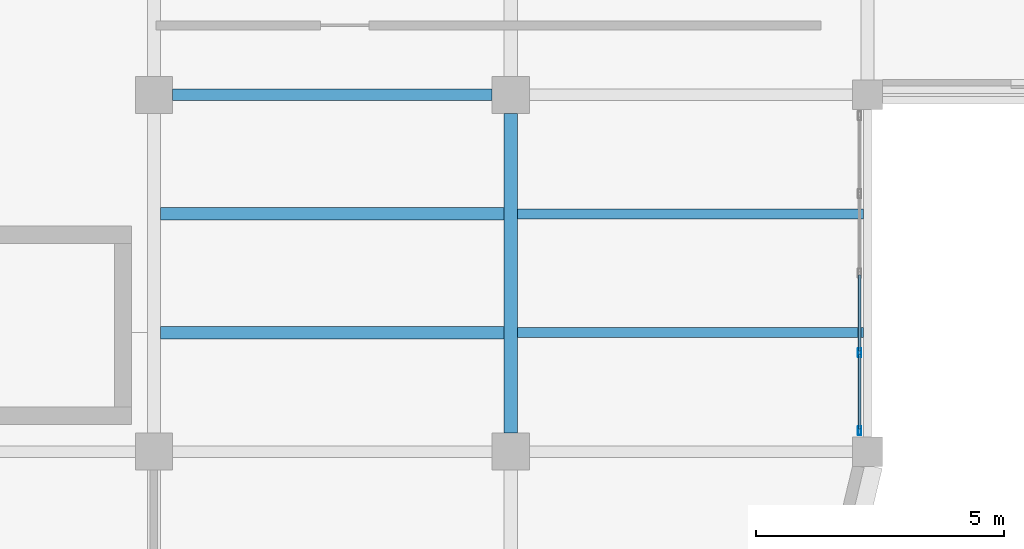
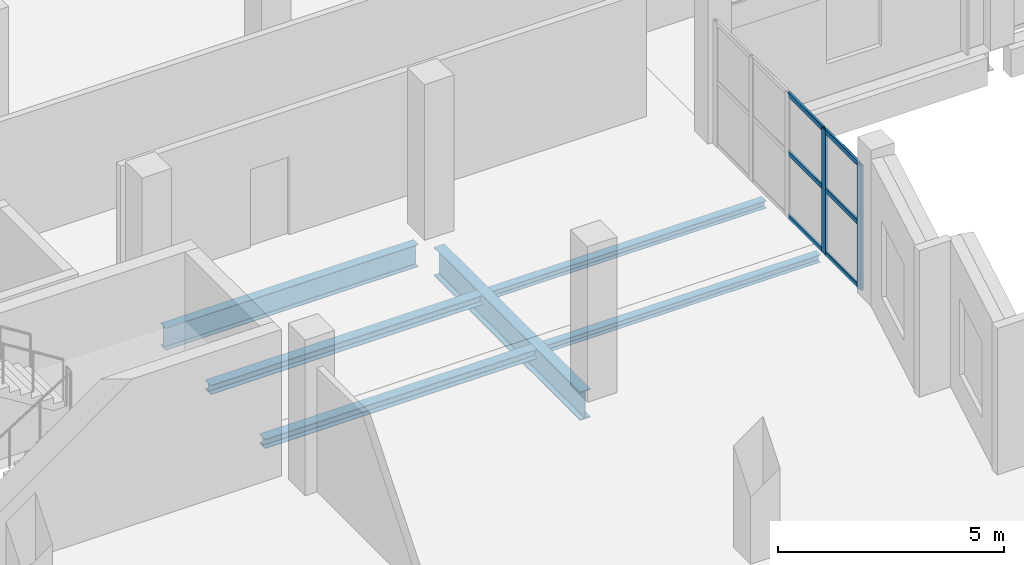
# One storey, part 40 of 94: 8 members, 6 beams, 1 element without a shape of its own.
"""IFC4 building model written with IfcOpenShell, lengths in metres."""

from ifc_helpers import new_model, si_unit, direction, frame, origin, origin_2d, place, context, subcontext, project, spatial, hollow_rectangle, i_section, extrude, material, material_profile, profile_set, type_object, element, aggregate, save


model = new_model("IFC4")

# Units and contexts
model_context = context("Model", 3, precision=1e-05, world=origin(), true_north=direction((0.0, 1.0)))
body_context = subcontext(model_context, "Body", "Model", "MODEL_VIEW")
ifc_project = project(units=[si_unit("LENGTHUNIT", "METRE"), si_unit("AREAUNIT", "SQUARE_METRE"), si_unit("VOLUMEUNIT", "CUBIC_METRE"), si_unit("PLANEANGLEUNIT", "RADIAN"), si_unit("MASSUNIT", "GRAM", prefix="KILO")], contexts=[model_context])

# Site, building, storey
site_placement = place(None, origin())
site = spatial("IfcSite", under=ifc_project, at=site_placement, CompositionType="ELEMENT")
building_placement = place(site_placement, origin())
building = spatial("IfcBuilding", under=site, at=building_placement, Name="Kalmorath City Hall", CompositionType="ELEMENT")
storey_placement = place(building_placement, frame((0.0, 0.0, 14.699951171875)))
storey = spatial("IfcBuildingStorey", under=building, at=storey_placement, Name="L03", CompositionType="ELEMENT", Elevation=14.699951171875)

# Curtain wall, members
ifc_material_1 = material(Name="Anodised aluminium and laminated glass", Category="aluminium")
curtain_wall_type = type_object("IfcCurtainWallType", Name="Unitised hurricane curtain wall 6420x3352 M1600", PredefinedType="NOTDEFINED", material=ifc_material_1)
curtain_wall_placement = place(storey_placement, origin())
curtain_wall = element("IfcCurtainWall", 1, at=curtain_wall_placement, inside=storey, type_object=curtain_wall_type, Name="L03 curtain wall CW-64X34M16 #151", PredefinedType="NOTDEFINED")
ifc_material_2 = material(Name="Anodised aluminium framing", Category="aluminium")
ifc_material_profile_1 = material_profile(ifc_material_2, hollow_rectangle(XDim=0.06494140625, YDim=0.179931640625, WallThickness=0.00390625, InnerFilletRadius=0.00390625, OuterFilletRadius=0.008056640625, at=origin_2d()), Name="ALU-MUL-180X65X4")
ifc_profile_set_1 = profile_set([ifc_material_profile_1], Name="Anodised aluminium framing")
member_type_1 = type_object("IfcMemberType", Name="Curtain-wall courtyard mullion 180x65", PredefinedType="MULLION", material=ifc_profile_set_1)
member_1_placement = place(storey_placement, frame((28.639892578125, 88.39501953125, 0.0), z_axis=(0.0, 0.0, 1.0), x_axis=(1.0, 0.0, 0.0)))
member_1 = element("IfcMember", 2, at=member_1_placement, type_object=member_type_1, Name="CW-64X34M16 mullion 4", PredefinedType="MULLION", context=body_context, shape_type="SweptSolid", body=[
    extrude(hollow_rectangle(XDim=0.06494140625, YDim=0.179931640625, WallThickness=0.00390625, InnerFilletRadius=0.00390625, OuterFilletRadius=0.008056640625, at=origin_2d()), origin(), (0.0, 0.0, 1.0), 3.35205078125),
])
member_2_placement = place(storey_placement, frame((28.639892578125, 86.822509765625, 0.0), z_axis=(0.0, 0.0, 1.0), x_axis=(1.0, 0.0, 0.0)))
member_2 = element("IfcMember", 3, at=member_2_placement, type_object=member_type_1, Name="CW-64X34M16 mullion 5", PredefinedType="MULLION", context=body_context, shape_type="SweptSolid", body=[
    extrude(hollow_rectangle(XDim=0.06494140625, YDim=0.179931640625, WallThickness=0.00390625, InnerFilletRadius=0.00390625, OuterFilletRadius=0.008056640625, at=origin_2d()), origin(), (0.0, 0.0, 1.0), 3.35205078125),
])
ifc_material_3 = material(Name="Anodised aluminium framing", Category="aluminium")
ifc_material_profile_2 = material_profile(ifc_material_3, hollow_rectangle(XDim=0.06005859375, YDim=0.1298828125, WallThickness=0.00341796875, InnerFilletRadius=0.00341796875, OuterFilletRadius=0.007080078125, at=origin_2d()), Name="ALU-TRN-130X60X3.5")
ifc_profile_set_2 = profile_set([ifc_material_profile_2], Name="Anodised aluminium framing")
member_type_2 = type_object("IfcMemberType", Name="Curtain-wall courtyard transom 130x60", PredefinedType="USERDEFINED", material=ifc_profile_set_2)
member_3_placement = place(storey_placement, frame((28.639892578125, 89.967529296875, 0.030029296875), z_axis=(0.0, -1.0, 0.0), x_axis=(1.0, 0.0, 0.0)))
member_3 = element("IfcMember", 4, at=member_3_placement, type_object=member_type_2, Name="CW-64X34M16 transom 3.1", ObjectType="TRANSOM", PredefinedType="USERDEFINED", context=body_context, shape_type="SweptSolid", body=[
    extrude(hollow_rectangle(XDim=0.06005859375, YDim=0.1298828125, WallThickness=0.00341796875, InnerFilletRadius=0.00341796875, OuterFilletRadius=0.007080078125, at=origin_2d()), origin(), (0.0, 0.0, 1.0), 1.5400390625),
])
member_4_placement = place(storey_placement, frame((28.639892578125, 89.967529296875, 1.7431640625), z_axis=(0.0, -1.0, 0.0), x_axis=(1.0, 0.0, 0.0)))
member_4 = element("IfcMember", 5, at=member_4_placement, type_object=member_type_2, Name="CW-64X34M16 transom 3.2", ObjectType="TRANSOM", PredefinedType="USERDEFINED", context=body_context, shape_type="SweptSolid", body=[
    extrude(hollow_rectangle(XDim=0.06005859375, YDim=0.1298828125, WallThickness=0.00341796875, InnerFilletRadius=0.00341796875, OuterFilletRadius=0.007080078125, at=origin_2d()), origin(), (0.0, 0.0, 1.0), 1.5400390625),
])
member_5_placement = place(storey_placement, frame((28.639892578125, 89.967529296875, 3.322021484375), z_axis=(0.0, -1.0, 0.0), x_axis=(1.0, 0.0, 0.0)))
member_5 = element("IfcMember", 6, at=member_5_placement, type_object=member_type_2, Name="CW-64X34M16 transom 3.3", ObjectType="TRANSOM", PredefinedType="USERDEFINED", context=body_context, shape_type="SweptSolid", body=[
    extrude(hollow_rectangle(XDim=0.06005859375, YDim=0.1298828125, WallThickness=0.00341796875, InnerFilletRadius=0.00341796875, OuterFilletRadius=0.007080078125, at=origin_2d()), origin(), (0.0, 0.0, 1.0), 1.5400390625),
])
member_6_placement = place(storey_placement, frame((28.639892578125, 88.362548828125, 0.030029296875), z_axis=(0.0, -1.0, 0.0), x_axis=(1.0, 0.0, 0.0)))
member_6 = element("IfcMember", 7, at=member_6_placement, type_object=member_type_2, Name="CW-64X34M16 transom 4.1", ObjectType="TRANSOM", PredefinedType="USERDEFINED", context=body_context, shape_type="SweptSolid", body=[
    extrude(hollow_rectangle(XDim=0.06005859375, YDim=0.1298828125, WallThickness=0.00341796875, InnerFilletRadius=0.00341796875, OuterFilletRadius=0.007080078125, at=origin_2d()), origin(), (0.0, 0.0, 1.0), 1.507568359375),
])
member_7_placement = place(storey_placement, frame((28.639892578125, 88.362548828125, 1.7431640625), z_axis=(0.0, -1.0, 0.0), x_axis=(1.0, 0.0, 0.0)))
member_7 = element("IfcMember", 8, at=member_7_placement, type_object=member_type_2, Name="CW-64X34M16 transom 4.2", ObjectType="TRANSOM", PredefinedType="USERDEFINED", context=body_context, shape_type="SweptSolid", body=[
    extrude(hollow_rectangle(XDim=0.06005859375, YDim=0.1298828125, WallThickness=0.00341796875, InnerFilletRadius=0.00341796875, OuterFilletRadius=0.007080078125, at=origin_2d()), origin(), (0.0, 0.0, 1.0), 1.507568359375),
])
member_8_placement = place(storey_placement, frame((28.639892578125, 88.362548828125, 3.322021484375), z_axis=(0.0, -1.0, 0.0), x_axis=(1.0, 0.0, 0.0)))
member_8 = element("IfcMember", 9, at=member_8_placement, type_object=member_type_2, Name="CW-64X34M16 transom 4.3", ObjectType="TRANSOM", PredefinedType="USERDEFINED", context=body_context, shape_type="SweptSolid", body=[
    extrude(hollow_rectangle(XDim=0.06005859375, YDim=0.1298828125, WallThickness=0.00341796875, InnerFilletRadius=0.00341796875, OuterFilletRadius=0.007080078125, at=origin_2d()), origin(), (0.0, 0.0, 1.0), 1.507568359375),
])
aggregate(curtain_wall, [member_1, member_2, member_3, member_4, member_5, member_6, member_7, member_8])

# Beams
ifc_material_4 = material(Name="Steel ASTM A992 Grade 50", Category="steel")
ifc_material_profile_3 = material_profile(ifc_material_4, i_section(OverallWidth=0.202880859375, OverallDepth=0.202880859375, WebThickness=0.007080078125, FlangeThickness=0.010986328125, FilletRadius=0.010986328125, at=origin_2d()), Name="W8X31")
ifc_profile_set_3 = profile_set([ifc_material_profile_3], Name="Steel ASTM A992 Grade 50")
beam_type_1 = type_object("IfcBeamType", Name="Steel edge trimmer W8X31", PredefinedType="LINTEL", material=ifc_profile_set_3)
for number, where, z_axis, x_axis, name in (
    (10, (21.73388671875, 88.800048828125, -0.365478515625), (1.0, 0.0, 0.0), (0.0, 1.0, 0.0), "L03 joist SJ16 4.13.1"),
    (11, (21.73388671875, 91.199951171875, -0.365478515625), (1.0, 0.0, 0.0), (0.0, 1.0, 0.0), "L03 joist SJ16 4.13.2"),
):
    element("IfcBeam", number, at=place(storey_placement, frame(where, z_axis=z_axis, x_axis=x_axis)), inside=storey, type_object=beam_type_1, Name=name, PredefinedType="LINTEL", context=body_context, shape_type="SweptSolid", body=[
        extrude(i_section(OverallWidth=0.202880859375, OverallDepth=0.202880859375, WebThickness=0.007080078125, FlangeThickness=0.010986328125, FilletRadius=0.010986328125, at=origin_2d()), origin(), (0.0, 0.0, 1.0), 6.983642578125),
    ])
ifc_material_5 = material(Name="Steel ASTM A992 Grade 50", Category="steel")
ifc_material_profile_4 = material_profile(ifc_material_5, i_section(OverallWidth=0.22802734375, OverallDepth=0.60302734375, WebThickness=0.010498046875, FlangeThickness=0.014892578125, FilletRadius=0.01611328125, at=origin_2d()), Name="W24X68")
ifc_profile_set_4 = profile_set([ifc_material_profile_4], Name="Steel ASTM A992 Grade 50")
beam_type_2 = type_object("IfcBeamType", Name="Steel floor girder W24X68", PredefinedType="BEAM", material=ifc_profile_set_4)
beam_1_placement = place(storey_placement, frame((14.77490234375, 93.60009765625, -0.5654296875), z_axis=(1.0, 0.0, 0.0), x_axis=(0.0, 1.0, 0.0)))
element("IfcBeam", 12, at=beam_1_placement, inside=storey, type_object=beam_type_2, Name="L03 girder SG9 X3-4/14", PredefinedType="BEAM", context=body_context, shape_type="SweptSolid", body=[
    extrude(i_section(OverallWidth=0.22802734375, OverallDepth=0.60302734375, WebThickness=0.010498046875, FlangeThickness=0.014892578125, FilletRadius=0.01611328125, at=origin_2d()), origin(), (0.0, 0.0, 1.0), 6.4501953125),
])
ifc_material_6 = material(Name="Steel ASTM A992 Grade 50", Category="steel")
ifc_material_profile_5 = material_profile(ifc_material_6, i_section(OverallWidth=0.26806640625, OverallDepth=0.77001953125, WebThickness=0.015625, FlangeThickness=0.025390625, FilletRadius=0.02001953125, at=origin_2d()), Name="W30X132")
ifc_profile_set_5 = profile_set([ifc_material_profile_5], Name="Steel ASTM A992 Grade 50")
beam_type_3 = type_object("IfcBeamType", Name="Steel primary girder W30X132", PredefinedType="BEAM", material=ifc_profile_set_5)
beam_2_placement = place(storey_placement, frame((21.60009765625, 86.77490234375, -0.64892578125), z_axis=(0.0, 1.0, 0.0), x_axis=(-1.0, 0.0, 0.0)))
element("IfcBeam", 13, at=beam_2_placement, inside=storey, type_object=beam_type_3, Name="L03 girder SG3 Y4/13-14", PredefinedType="BEAM", context=body_context, shape_type="SweptSolid", body=[
    extrude(i_section(OverallWidth=0.26806640625, OverallDepth=0.77001953125, WebThickness=0.015625, FlangeThickness=0.025390625, FilletRadius=0.02001953125, at=origin_2d()), origin(), (0.0, 0.0, 1.0), 6.4501953125),
])
ifc_material_7 = material(Name="Steel ASTM A992 Grade 50", Category="steel")
ifc_material_profile_6 = material_profile(ifc_material_7, i_section(OverallWidth=0.25390625, OverallDepth=0.2529296875, WebThickness=0.008544921875, FlangeThickness=0.01416015625, FilletRadius=0.011962890625, at=origin_2d()), Name="W10X49")
ifc_profile_set_6 = profile_set([ifc_material_profile_6], Name="Steel ASTM A992 Grade 50")
beam_type_4 = type_object("IfcBeamType", Name="Steel trimmer beam W10X49", PredefinedType="BEAM", material=ifc_profile_set_6)
for number, where, z_axis, x_axis, name in (
    (14, (14.533935546875, 88.800048828125, -0.390380859375), (1.0, 0.0, 0.0), (0.0, 1.0, 0.0), "L03 joist SJ14 3.13.1"),
    (15, (14.533935546875, 91.199951171875, -0.390380859375), (1.0, 0.0, 0.0), (0.0, 1.0, 0.0), "L03 joist SJ14 3.13.2"),
):
    element("IfcBeam", number, at=place(storey_placement, frame(where, z_axis=z_axis, x_axis=x_axis)), inside=storey, type_object=beam_type_4, Name=name, PredefinedType="BEAM", context=body_context, shape_type="SweptSolid", body=[
        extrude(i_section(OverallWidth=0.25390625, OverallDepth=0.2529296875, WebThickness=0.008544921875, FlangeThickness=0.01416015625, FilletRadius=0.011962890625, at=origin_2d()), origin(), (0.0, 0.0, 1.0), 6.93212890625),
    ])

save(model, "model.ifc")
